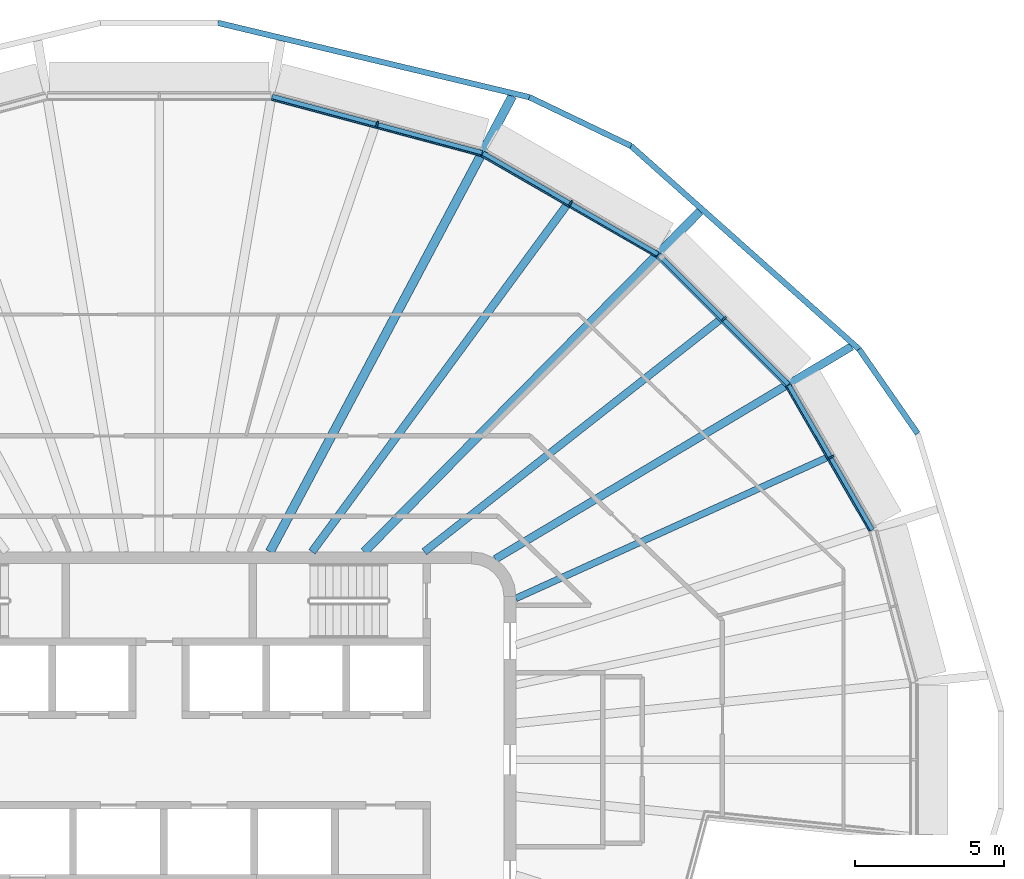
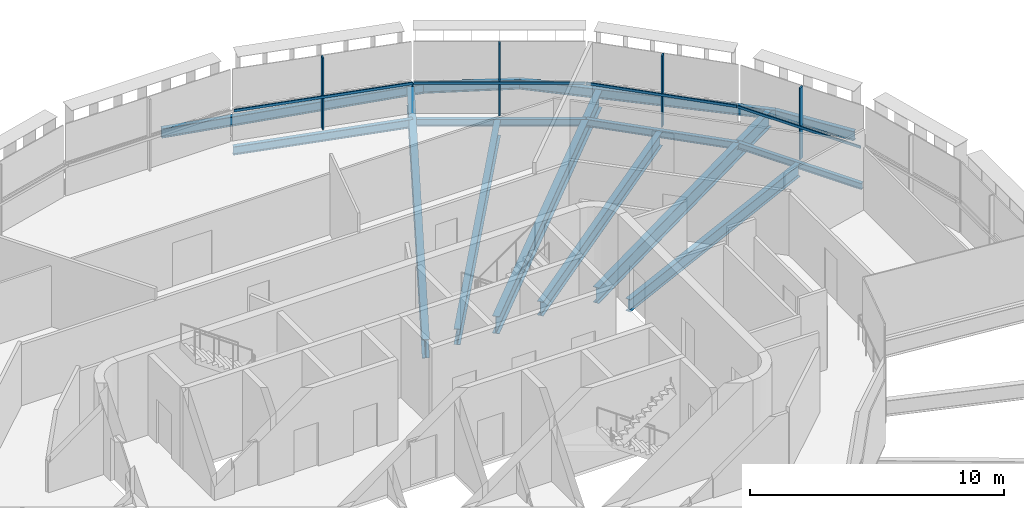
# One storey, part 6 of 18: 14 beams, 8 members, 4 elements without a shape of their own.
"""IFC4 building model written with IfcOpenShell, lengths in metres."""

from ifc_helpers import new_model, si_unit, direction, frame, origin, origin_2d, place, context, subcontext, project, spatial, rectangle, i_section, extrude, material, layer, layer_set, material_profile, profile_set, type_object, element, aggregate, save


model = new_model("IFC4")

# Units and contexts
model_context = context("Model", 3, precision=1e-05, world=origin(), true_north=direction((0.0, 1.0)))
body_context = subcontext(model_context, "Body", "Model", "MODEL_VIEW")
ifc_project = project(units=[si_unit("LENGTHUNIT", "METRE"), si_unit("AREAUNIT", "SQUARE_METRE"), si_unit("VOLUMEUNIT", "CUBIC_METRE"), si_unit("PLANEANGLEUNIT", "RADIAN"), si_unit("MASSUNIT", "GRAM", prefix="KILO")], contexts=[model_context])

# Site, building, storey
site_placement = place(None, origin())
site = spatial("IfcSite", under=ifc_project, at=site_placement, CompositionType="ELEMENT")
building_placement = place(site_placement, origin())
building = spatial("IfcBuilding", under=site, at=building_placement, Name="Sahrelin Media Tower", CompositionType="ELEMENT")
storey_placement = place(building_placement, frame((0.0, 0.0, 312.39990234375)))
storey = spatial("IfcBuildingStorey", under=building, at=storey_placement, Name="L69", CompositionType="ELEMENT", Elevation=312.39990234375)

# Beams
ifc_material_1 = material(Name="Steel S355", Category="steel")
ifc_material_profile_1 = material_profile(ifc_material_1, i_section(OverallWidth=0.1650390625, OverallDepth=0.303466796875, WebThickness=0.006103515625, FlangeThickness=0.01025390625, FilletRadius=0.0087890625, at=origin_2d()), Name="UB 305x165x40")
ifc_profile_set_1 = profile_set([ifc_material_profile_1], Name="Steel S355")
beam_type_1 = type_object("IfcBeamType", Name="Edge beam EB2", PredefinedType="BEAM", material=ifc_profile_set_1)
beam_1_placement = place(storey_placement, frame((21.172607421875, 12.604736328125, -0.301513671875), z_axis=(0.500002884005, -0.866023738697, 0.0), x_axis=(0.866023738697, 0.500002884005, 0.0)))
element("IfcBeam", 1, at=beam_1_placement, inside=storey, type_object=beam_type_1, Name="Edge beam L69-19", PredefinedType="BEAM", context=body_context, shape_type="SweptSolid", body=[
    extrude(i_section(OverallWidth=0.1650390625, OverallDepth=0.303466796875, WebThickness=0.006103515625, FlangeThickness=0.01025390625, FilletRadius=0.0087890625, at=origin_2d()), origin(), (0.0, 0.0, 1.0), 5.626953125),
])
ifc_material_profile_2 = material_profile(ifc_material_1, i_section(OverallWidth=0.17138671875, OverallDepth=0.35498046875, WebThickness=0.00732421875, FlangeThickness=0.011474609375, FilletRadius=0.01025390625, at=origin_2d()), Name="UB 356x171x51")
ifc_profile_set_2 = profile_set([ifc_material_profile_2], Name="Steel S355")
beam_type_2 = type_object("IfcBeamType", Name="Edge beam EB3", PredefinedType="BEAM", material=ifc_profile_set_2)
beam_2_placement = place(storey_placement, frame((10.887451171875, 20.4033203125, -0.327392578125), z_axis=(0.866012045084, -0.500023137234, 0.0), x_axis=(0.500023137234, 0.866012045084, 0.0)))
element("IfcBeam", 2, at=beam_2_placement, inside=storey, type_object=beam_type_2, Name="Edge beam L69-17", PredefinedType="BEAM", context=body_context, shape_type="SweptSolid", body=[
    extrude(i_section(OverallWidth=0.17138671875, OverallDepth=0.35498046875, WebThickness=0.00732421875, FlangeThickness=0.011474609375, FilletRadius=0.01025390625, at=origin_2d()), origin(), (0.0, 0.0, 1.0), 6.794189453125),
])
beam_3_placement = place(storey_placement, frame((16.794189453125, 16.98876953125, -0.327392578125), z_axis=(0.707086987858, -0.707126573961, 0.0), x_axis=(0.707126573961, 0.707086987858, 0.0)))
element("IfcBeam", 3, at=beam_3_placement, inside=storey, type_object=beam_type_2, Name="Edge beam L69-18", PredefinedType="BEAM", context=body_context, shape_type="SweptSolid", body=[
    extrude(i_section(OverallWidth=0.17138671875, OverallDepth=0.35498046875, WebThickness=0.00732421875, FlangeThickness=0.011474609375, FilletRadius=0.01025390625, at=origin_2d()), origin(), (0.0, 0.0, 1.0), 6.167236328125),
])
ifc_material_profile_3 = material_profile(ifc_material_1, i_section(OverallWidth=0.177978515625, OverallDepth=0.406494140625, WebThickness=0.0078125, FlangeThickness=0.0126953125, FilletRadius=0.01025390625, at=origin_2d()), Name="UB 406x178x60")
ifc_profile_set_3 = profile_set([ifc_material_profile_3], Name="Steel S355")
beam_type_3 = type_object("IfcBeamType", Name="Edge beam EB4", PredefinedType="BEAM", material=ifc_profile_set_3)
beam_4_placement = place(storey_placement, frame((3.791748046875, 22.308349609375, -0.35302734375), z_axis=(0.965929736492, -0.258804451587, 0.0), x_axis=(0.258804451587, 0.965929736492, 0.0)))
element("IfcBeam", 4, at=beam_4_placement, inside=storey, type_object=beam_type_3, Name="Edge beam L69-16", PredefinedType="BEAM", context=body_context, shape_type="SweptSolid", body=[
    extrude(i_section(OverallWidth=0.177978515625, OverallDepth=0.406494140625, WebThickness=0.0078125, FlangeThickness=0.0126953125, FilletRadius=0.01025390625, at=origin_2d()), origin(), (0.0, 0.0, 1.0), 7.318359375),
])

# Curtain wall, member
ifc_material_2 = material(Name="Champagne anodised aluminium 6063-T6", Category="aluminium")
ifc_layer = layer(ifc_material_2, 0.14990234375)
ifc_layer_set = layer_set([ifc_layer], Name="Tower ribbon curtain wall")
curtain_wall_type = type_object("IfcCurtainWallType", Name="Tower ribbon curtain wall", PredefinedType="NOTDEFINED", material=ifc_layer_set)
curtain_wall_1_placement = place(storey_placement, frame((22.709228515625, 10.2431640625, 0.0), z_axis=(0.0, 0.0, 1.0), x_axis=(1.0, 0.0, 0.0)))
curtain_wall_1 = element("IfcCurtainWall", 5, at=curtain_wall_1_placement, inside=storey, type_object=curtain_wall_type, Name="L69:CW:L69-02", PredefinedType="NOTDEFINED")
ifc_material_profile_4 = material_profile(ifc_material_2, rectangle(XDim=0.06005859375, YDim=0.199951171875, at=origin_2d()), Name="Mullion 60x200")
ifc_profile_set_4 = profile_set([ifc_material_profile_4], Name="Champagne anodised aluminium 6063-T6")
member_type_1 = type_object("IfcMemberType", Name="Mullion 60x200 CW1C", PredefinedType="MULLION", material=ifc_profile_set_4)
member_1_placement = place(storey_placement, frame((22.605224609375, 10.18310546875, 0.0), z_axis=(0.0, 0.0, 1.0), x_axis=(-0.500003022996, 0.86602365845, 0.0)))
member_1 = element("IfcMember", 6, at=member_1_placement, type_object=member_type_1, Name="L69:CWM:L69-02", PredefinedType="MULLION", context=body_context, shape_type="SweptSolid", body=[
    extrude(rectangle(XDim=0.06005859375, YDim=0.199951171875, at=origin_2d()), origin(), (0.0, 0.0, 1.0), 3.44873046875),
])

curtain_wall_2_placement = place(storey_placement, frame((19.08056640625, 14.914306640625, 0.0), z_axis=(0.0, 0.0, 1.0), x_axis=(1.0, 0.0, 0.0)))
curtain_wall_2 = element("IfcCurtainWall", 7, at=curtain_wall_2_placement, inside=storey, type_object=curtain_wall_type, Name="L69:CW:L69-03", PredefinedType="NOTDEFINED")
member_2_placement = place(storey_placement, frame((18.99560546875, 14.829345703125, 0.0), z_axis=(0.0, 0.0, 1.0), x_axis=(-0.707099376343, 0.707114185953, 0.0)))
member_2 = element("IfcMember", 8, at=member_2_placement, type_object=member_type_1, Name="L69:CWM:L69-03", PredefinedType="MULLION", context=body_context, shape_type="SweptSolid", body=[
    extrude(rectangle(XDim=0.06005859375, YDim=0.199951171875, at=origin_2d()), origin(), (0.0, 0.0, 1.0), 3.44873046875),
])

curtain_wall_3_placement = place(storey_placement, frame((13.904296875, 18.834716796875, 0.0), z_axis=(0.0, 0.0, 1.0), x_axis=(1.0, 0.0, 0.0)))
curtain_wall_3 = element("IfcCurtainWall", 9, at=curtain_wall_3_placement, inside=storey, type_object=curtain_wall_type, Name="L69:CW:L69-04", PredefinedType="NOTDEFINED")
member_3_placement = place(storey_placement, frame((13.844482421875, 18.730712890625, 0.0), z_axis=(0.0, 0.0, 1.0), x_axis=(-0.866028894422, 0.49999395399, 0.0)))
member_3 = element("IfcMember", 10, at=member_3_placement, type_object=member_type_1, Name="L69:CWM:L69-04", PredefinedType="MULLION", context=body_context, shape_type="SweptSolid", body=[
    extrude(rectangle(XDim=0.06005859375, YDim=0.199951171875, at=origin_2d()), origin(), (0.0, 0.0, 1.0), 3.44873046875),
])

curtain_wall_4_placement = place(storey_placement, frame((7.365234375, 21.506103515625, 0.0), z_axis=(0.0, 0.0, 1.0), x_axis=(1.0, 0.0, 0.0)))
curtain_wall_4 = element("IfcCurtainWall", 11, at=curtain_wall_4_placement, inside=storey, type_object=curtain_wall_type, Name="L69:CW:L69-05", PredefinedType="NOTDEFINED")
member_4_placement = place(storey_placement, frame((7.333984375, 21.39013671875, 0.0), z_axis=(0.0, 0.0, 1.0), x_axis=(-0.965925826289, 0.258819045103, 0.0)))
member_4 = element("IfcMember", 12, at=member_4_placement, type_object=member_type_1, Name="L69:CWM:L69-05", PredefinedType="MULLION", context=body_context, shape_type="SweptSolid", body=[
    extrude(rectangle(XDim=0.06005859375, YDim=0.199951171875, at=origin_2d()), origin(), (0.0, 0.0, 1.0), 3.44873046875),
])

# Beams
ifc_material_profile_5 = material_profile(ifc_material_1, i_section(OverallWidth=0.291748046875, OverallDepth=0.8349609375, WebThickness=0.013916015625, FlangeThickness=0.018798828125, FilletRadius=0.017822265625, at=origin_2d()), Name="UB 838x292x176")
ifc_profile_set_5 = profile_set([ifc_material_profile_5], Name="Steel S355")
beam_type_4 = type_object("IfcBeamType", Name="Radial primary beam PB10", PredefinedType="BEAM", material=ifc_profile_set_5)
beam_5_placement = place(storey_placement, frame((6.900634765625, 7.0, -0.5673828125), z_axis=(0.702027793691, 0.712149546715, 0.0), x_axis=(-0.712149546715, 0.702027793691, 0.0)))
element("IfcBeam", 13, at=beam_5_placement, inside=storey, type_object=beam_type_4, Name="Radial beam L69-04", PredefinedType="BEAM", context=body_context, shape_type="SweptSolid", body=[
    extrude(i_section(OverallWidth=0.291748046875, OverallDepth=0.8349609375, WebThickness=0.013916015625, FlangeThickness=0.018798828125, FilletRadius=0.017822265625, at=origin_2d()), origin(), (0.0, 0.0, 1.0), 16.08837890625),
])
ifc_material_profile_6 = material_profile(ifc_material_1, i_section(OverallWidth=0.30322265625, OverallDepth=0.903076171875, WebThickness=0.01513671875, FlangeThickness=0.020263671875, FilletRadius=0.01904296875, at=origin_2d()), Name="UB 914x305x201")
ifc_profile_set_6 = profile_set([ifc_material_profile_6], Name="Steel S355")
beam_type_5 = type_object("IfcBeamType", Name="Radial primary beam PB11", PredefinedType="BEAM", material=ifc_profile_set_6)
beam_6_placement = place(storey_placement, frame((3.72412109375, 7.0, -0.601318359375), z_axis=(0.469669389821, 0.882842377928, 0.0), x_axis=(-0.882842377928, 0.469669389821, 0.0)))
element("IfcBeam", 14, at=beam_6_placement, inside=storey, type_object=beam_type_5, Name="Radial beam L69-05", PredefinedType="BEAM", context=body_context, shape_type="SweptSolid", body=[
    extrude(i_section(OverallWidth=0.30322265625, OverallDepth=0.903076171875, WebThickness=0.01513671875, FlangeThickness=0.020263671875, FilletRadius=0.01904296875, at=origin_2d()), origin(), (0.0, 0.0, 1.0), 17.367431640625),
])
ifc_material_profile_7 = material_profile(ifc_material_1, i_section(OverallWidth=0.26513671875, OverallDepth=0.75390625, WebThickness=0.0126953125, FlangeThickness=0.017578125, FilletRadius=0.0166015625, at=origin_2d()), Name="UB 762x267x147")
ifc_profile_set_7 = profile_set([ifc_material_profile_7], Name="Steel S355")
beam_type_6 = type_object("IfcBeamType", Name="Radial primary beam PB9", PredefinedType="BEAM", material=ifc_profile_set_7)
beam_7_placement = place(storey_placement, frame((11.309814453125, 6.753173828125, -0.52685546875), z_axis=(0.858595650367, 0.512653400624, 0.0), x_axis=(-0.512653400624, 0.858595650367, 0.0)))
element("IfcBeam", 15, at=beam_7_placement, inside=storey, type_object=beam_type_6, Name="Radial beam L69-03", PredefinedType="BEAM", context=body_context, shape_type="SweptSolid", body=[
    extrude(i_section(OverallWidth=0.26513671875, OverallDepth=0.75390625, WebThickness=0.0126953125, FlangeThickness=0.017578125, FilletRadius=0.0166015625, at=origin_2d()), origin(), (0.0, 0.0, 1.0), 13.962158203125),
])
ifc_material_profile_8 = material_profile(ifc_material_1, i_section(OverallWidth=0.2275390625, OverallDepth=0.6025390625, WebThickness=0.010498046875, FlangeThickness=0.014892578125, FilletRadius=0.0126953125, at=origin_2d()), Name="UB 610x229x101")
ifc_profile_set_8 = profile_set([ifc_material_profile_8], Name="Steel S355")
beam_type_7 = type_object("IfcBeamType", Name="Radial secondary beam SB7", PredefinedType="BEAM", material=ifc_profile_set_8)
beam_8_placement = place(storey_placement, frame((12.0, 5.43115234375, -0.451171875), z_axis=(0.911023083006, 0.412355359163, 0.0), x_axis=(-0.412355359163, 0.911023083006, 0.0)))
element("IfcBeam", 16, at=beam_8_placement, inside=storey, type_object=beam_type_7, Name="Secondary beam L69-02", PredefinedType="BEAM", context=body_context, shape_type="SweptSolid", body=[
    extrude(i_section(OverallWidth=0.2275390625, OverallDepth=0.6025390625, WebThickness=0.010498046875, FlangeThickness=0.014892578125, FilletRadius=0.0126953125, at=origin_2d()), origin(), (0.0, 0.0, 1.0), 11.50390625),
])
ifc_material_profile_9 = material_profile(ifc_material_1, i_section(OverallWidth=0.2529296875, OverallDepth=0.677978515625, WebThickness=0.01171875, FlangeThickness=0.01611328125, FilletRadius=0.01513671875, at=origin_2d()), Name="UB 686x254x125")
ifc_profile_set_9 = profile_set([ifc_material_profile_9], Name="Steel S355")
beam_type_8 = type_object("IfcBeamType", Name="Radial secondary beam SB8", PredefinedType="BEAM", material=ifc_profile_set_9)
beam_9_placement = place(storey_placement, frame((8.919189453125, 7.0, -0.489013671875), z_axis=(0.786664822555, 0.61738031792, 0.0), x_axis=(-0.61738031792, 0.786664822555, 0.0)))
element("IfcBeam", 17, at=beam_9_placement, inside=storey, type_object=beam_type_8, Name="Secondary beam L69-03", PredefinedType="BEAM", context=body_context, shape_type="SweptSolid", body=[
    extrude(i_section(OverallWidth=0.2529296875, OverallDepth=0.677978515625, WebThickness=0.01171875, FlangeThickness=0.01611328125, FilletRadius=0.01513671875, at=origin_2d()), origin(), (0.0, 0.0, 1.0), 12.636474609375),
])
ifc_material_profile_10 = material_profile(ifc_material_1, i_section(OverallWidth=0.26513671875, OverallDepth=0.75390625, WebThickness=0.0126953125, FlangeThickness=0.017578125, FilletRadius=0.0166015625, at=origin_2d()), Name="UB 762x267x147")
ifc_profile_set_10 = profile_set([ifc_material_profile_10], Name="Steel S355")
beam_type_9 = type_object("IfcBeamType", Name="Radial secondary beam SB9", PredefinedType="BEAM", material=ifc_profile_set_10)
beam_10_placement = place(storey_placement, frame((5.142333984375, 7.0, -0.52685546875), z_axis=(0.592032191821, 0.80591431545, 0.0), x_axis=(-0.80591431545, 0.592032191821, 0.0)))
element("IfcBeam", 18, at=beam_10_placement, inside=storey, type_object=beam_type_9, Name="Secondary beam L69-04", PredefinedType="BEAM", context=body_context, shape_type="SweptSolid", body=[
    extrude(i_section(OverallWidth=0.26513671875, OverallDepth=0.75390625, WebThickness=0.0126953125, FlangeThickness=0.017578125, FilletRadius=0.0166015625, at=origin_2d()), origin(), (0.0, 0.0, 1.0), 14.48193359375),
])
ifc_material_profile_11 = material_profile(ifc_material_1, i_section(OverallWidth=0.1904296875, OverallDepth=0.45703125, WebThickness=0.009033203125, FlangeThickness=0.014404296875, FilletRadius=0.01025390625, at=origin_2d()), Name="UB 457x191x74")
ifc_profile_set_11 = profile_set([ifc_material_profile_11], Name="Steel S355")
beam_type_10 = type_object("IfcBeamType", Name="Tie chord TC5", PredefinedType="BEAM", material=ifc_profile_set_11)
beam_11_placement = place(storey_placement, frame((25.51806640625, 10.97900390625, -0.37841796875), z_axis=(-0.570604943909, 0.82122469397, 0.0), x_axis=(-0.82122469397, -0.570604943909, 0.0)))
element("IfcBeam", 19, at=beam_11_placement, inside=storey, type_object=beam_type_10, Name="Tie chord L69-02", PredefinedType="BEAM", context=body_context, shape_type="SweptSolid", body=[
    extrude(i_section(OverallWidth=0.1904296875, OverallDepth=0.45703125, WebThickness=0.009033203125, FlangeThickness=0.014404296875, FilletRadius=0.01025390625, at=origin_2d()), origin(), (0.0, 0.0, 1.0), 3.456298828125),
])
beam_12_placement = place(storey_placement, frame((23.5458984375, 13.8173828125, -0.37841796875), z_axis=(-0.746646114938, 0.665221451134, 0.0), x_axis=(-0.665221451134, -0.746646114938, 0.0)))
element("IfcBeam", 20, at=beam_12_placement, inside=storey, type_object=beam_type_10, Name="Tie chord L69-03", PredefinedType="BEAM", context=body_context, shape_type="SweptSolid", body=[
    extrude(i_section(OverallWidth=0.1904296875, OverallDepth=0.45703125, WebThickness=0.009033203125, FlangeThickness=0.014404296875, FilletRadius=0.01025390625, at=origin_2d()), origin(), (0.0, 0.0, 1.0), 10.2783203125),
])
beam_13_placement = place(storey_placement, frame((15.87158203125, 20.65478515625, -0.37841796875), z_axis=(-0.901627608015, 0.432513186464, 0.0), x_axis=(-0.432513186464, -0.901627608015, 0.0)))
element("IfcBeam", 21, at=beam_13_placement, inside=storey, type_object=beam_type_10, Name="Tie chord L69-04", PredefinedType="BEAM", context=body_context, shape_type="SweptSolid", body=[
    extrude(i_section(OverallWidth=0.1904296875, OverallDepth=0.45703125, WebThickness=0.009033203125, FlangeThickness=0.014404296875, FilletRadius=0.01025390625, at=origin_2d()), origin(), (0.0, 0.0, 1.0), 3.788818359375),
])
beam_14_placement = place(storey_placement, frame((12.45556640625, 22.29345703125, -0.37841796875), z_axis=(-0.972662145221, 0.232224786046, 0.0), x_axis=(-0.232224786046, -0.972662145221, 0.0)))
element("IfcBeam", 22, at=beam_14_placement, inside=storey, type_object=beam_type_10, Name="Tie chord L69-05", PredefinedType="BEAM", context=body_context, shape_type="SweptSolid", body=[
    extrude(i_section(OverallWidth=0.1904296875, OverallDepth=0.45703125, WebThickness=0.009033203125, FlangeThickness=0.014404296875, FilletRadius=0.01025390625, at=origin_2d()), origin(), (0.0, 0.0, 1.0), 10.778076171875),
])

# Member
ifc_material_profile_12 = material_profile(ifc_material_2, rectangle(XDim=0.050048828125, YDim=0.1201171875, at=origin_2d()), Name="Transom 50x120")
ifc_profile_set_12 = profile_set([ifc_material_profile_12], Name="Champagne anodised aluminium 6063-T6")
member_type_2 = type_object("IfcMemberType", Name="Transom 50x120 CW1C", PredefinedType="USERDEFINED", material=ifc_profile_set_12)
member_5_placement = place(storey_placement, frame((23.89599609375, 7.69775390625, 1.60009765625), z_axis=(-0.500005710357, 0.866022106883, 0.0), x_axis=(-0.866022106883, -0.500005710357, 0.0)))
member_5 = element("IfcMember", 23, at=member_5_placement, type_object=member_type_2, Name="L69:CWT:L69-02", ObjectType="TRANSOM", PredefinedType="USERDEFINED", context=body_context, shape_type="SweptSolid", body=[
    extrude(rectangle(XDim=0.050048828125, YDim=0.1201171875, at=origin_2d()), origin(), (0.0, 0.0, 1.0), 5.595703125),
])

aggregate(curtain_wall_1, [member_1, member_5])

member_6_placement = place(storey_placement, frame((21.07666015625, 12.571533203125, 1.60009765625), z_axis=(-0.707086886503, 0.70712667531, 0.0), x_axis=(-0.70712667531, -0.707086886503, 0.0)))
member_6 = element("IfcMember", 24, at=member_6_placement, type_object=member_type_2, Name="L69:CWT:L69-03", ObjectType="TRANSOM", PredefinedType="USERDEFINED", context=body_context, shape_type="SweptSolid", body=[
    extrude(rectangle(XDim=0.050048828125, YDim=0.1201171875, at=origin_2d()), origin(), (0.0, 0.0, 1.0), 6.135986328125),
])

aggregate(curtain_wall_2, [member_2, member_6])

member_7_placement = place(storey_placement, frame((16.710205078125, 16.931884765625, 1.60009765625), z_axis=(-0.866041905059, 0.499971417865, 0.0), x_axis=(-0.499971417865, -0.866041905059, 0.0)))
member_7 = element("IfcMember", 25, at=member_7_placement, type_object=member_type_2, Name="L69:CWT:L69-04", ObjectType="TRANSOM", PredefinedType="USERDEFINED", context=body_context, shape_type="SweptSolid", body=[
    extrude(rectangle(XDim=0.050048828125, YDim=0.1201171875, at=origin_2d()), origin(), (0.0, 0.0, 1.0), 6.7626953125),
])

aggregate(curtain_wall_3, [member_3, member_7])

member_8_placement = place(storey_placement, frame((10.821044921875, 20.326416015625, 1.60009765625), z_axis=(-0.965925618712, 0.25881981979, 0.0), x_axis=(-0.25881981979, -0.965925618712, 0.0)))
member_8 = element("IfcMember", 26, at=member_8_placement, type_object=member_type_2, Name="L69:CWT:L69-05", ObjectType="TRANSOM", PredefinedType="USERDEFINED", context=body_context, shape_type="SweptSolid", body=[
    extrude(rectangle(XDim=0.050048828125, YDim=0.1201171875, at=origin_2d()), origin(), (0.0, 0.0, 1.0), 7.286865234375),
])

aggregate(curtain_wall_4, [member_4, member_8])

save(model, "model.ifc")
